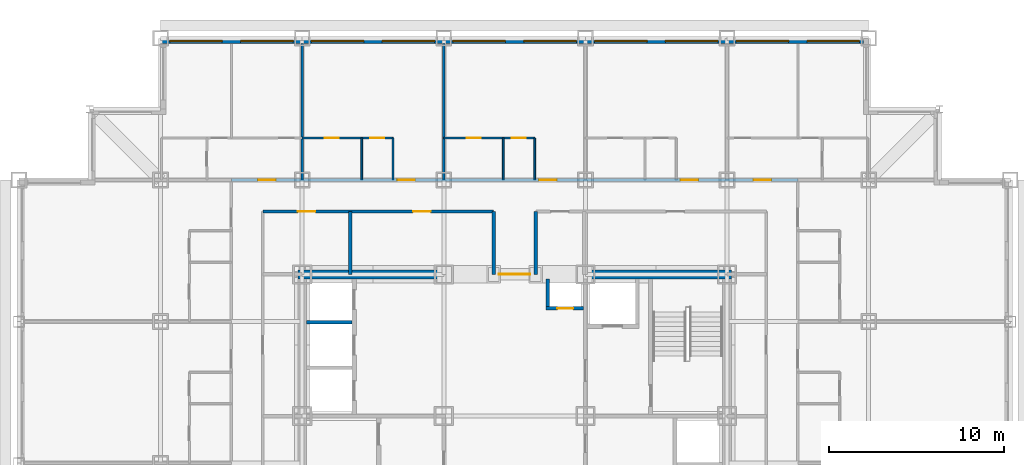
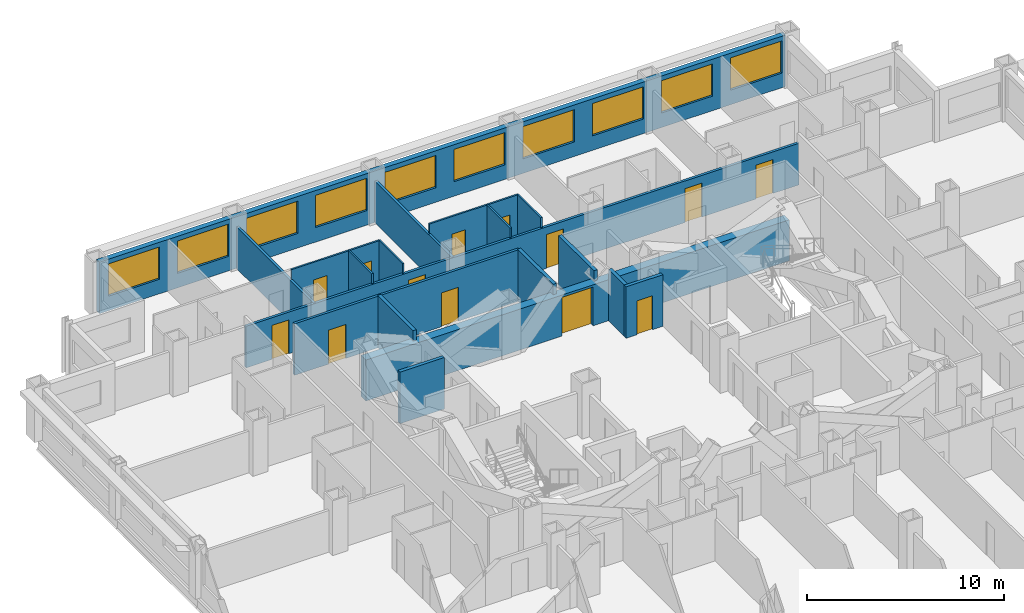
# One storey, part 9 of 13: 18 walls, 13 doors, 10 windows, 23 openings.
"""IFC4 building model written with IfcOpenShell, lengths in metres."""

from ifc_helpers import new_model, si_unit, direction, frame, frame_2d, origin, place, context, subcontext, project, spatial, rectangle, extrude, material, layer, layer_set, type_object, element, fill, save


model = new_model("IFC4")

# Units and contexts
model_context = context("Model", 3, precision=1e-05, world=origin(), true_north=direction((0.0, 1.0)))
body_context = subcontext(model_context, "Body", "Model", "MODEL_VIEW")
ifc_project = project(units=[si_unit("LENGTHUNIT", "METRE"), si_unit("AREAUNIT", "SQUARE_METRE"), si_unit("VOLUMEUNIT", "CUBIC_METRE"), si_unit("PLANEANGLEUNIT", "RADIAN"), si_unit("MASSUNIT", "GRAM", prefix="KILO")], contexts=[model_context])

# Site, building, storey
site_placement = place(None, origin())
site = spatial("IfcSite", under=ifc_project, at=site_placement, CompositionType="ELEMENT")
building_placement = place(site_placement, origin())
building = spatial("IfcBuilding", under=site, at=building_placement, Name="Kopane Lantern Tower", CompositionType="ELEMENT")
storey_placement = place(building_placement, frame((0.0, 0.0, 110.199951171875)))
storey = spatial("IfcBuildingStorey", under=building, at=storey_placement, Name="L27", CompositionType="ELEMENT", Elevation=110.199951171875)

# Wall, openings, doors
ifc_material_1 = material(Name="Moisture-resistant board on steel studs", Category="steel")
ifc_layer_1 = layer(ifc_material_1, 0.10009765625)
ifc_layer_set_1 = layer_set([ifc_layer_1], Name="BATHROOM WALL 100")
wall_type_1 = type_object("IfcWallType", Name="BATHROOM WALL 100", PredefinedType="PARTITIONING", material=ifc_layer_set_1)
wall_1_placement = place(storey_placement, frame((16.199951171875, 48.300048828125, 0.0), z_axis=(0.0, 0.0, 1.0), x_axis=(1.0, 0.0, 0.0)))
wall_1 = element("IfcWall", 1, at=wall_1_placement, inside=storey, type_object=wall_type_1, Name="Bathroom Wall 100 L27", PredefinedType="PARTITIONING", context=body_context, shape_type="SweptSolid", body=[
    extrude(rectangle(XDim=5.199951171875, YDim=0.10009765625, at=frame_2d((2.60009765625, 0.0))), origin(), (0.0, 0.0, 1.0), 3.18994140625),
])
opening_1_placement = place(wall_1_placement, frame((1.300048828125, 0.0, 0.0)))
opening_1 = element("IfcOpeningElement", 2, at=opening_1_placement, cuts=wall_1, Name="Opening L27-021", PredefinedType="OPENING", context=body_context, shape_type="SweptSolid", body=[
    extrude(rectangle(XDim=0.800048828125, YDim=2.10009765625, at=frame_2d((0.39990234375, 1.050048828125))), frame((0.0, 0.06005859375, 0.0), z_axis=(0.0, -1.0, 0.0), x_axis=(1.0, 0.0, 0.0)), (0.0, 0.0, 1.0), 0.1201171875),
])
opening_2_placement = place(wall_1_placement, frame((3.89990234375, 0.0, 0.0)))
opening_2 = element("IfcOpeningElement", 3, at=opening_2_placement, cuts=wall_1, Name="Opening L27-022", PredefinedType="OPENING", context=body_context, shape_type="SweptSolid", body=[
    extrude(rectangle(XDim=0.800048828125, YDim=2.10009765625, at=frame_2d((0.39990234375, 1.050048828125))), frame((0.0, 0.06005859375, 0.0), z_axis=(0.0, -1.0, 0.0), x_axis=(1.0, 0.0, 0.0)), (0.0, 0.0, 1.0), 0.1201171875),
])
ifc_material_2 = material(Name="Timber door set", Category="wood")
door_type_1 = type_object("IfcDoorType", Name="DOOR D2 800x2100", OperationType="SINGLE_SWING_LEFT", PredefinedType="DOOR", material=ifc_material_2)
door_1_placement = place(opening_1_placement, origin())
door_1 = element("IfcDoor", 4, at=door_1_placement, inside=storey, type_object=door_type_1, Name="Door L27-021", OperationType="SINGLE_SWING_LEFT", OverallHeight=2.10009765625, OverallWidth=0.800048828125, PredefinedType="DOOR", context=body_context, shape_type="SweptSolid", body=[
    extrude(rectangle(XDim=0.800048828125, YDim=2.10009765625, at=frame_2d((0.39990234375, 1.050048828125))), frame((0.0, 0.02490234375, 0.0), z_axis=(0.0, -1.0, 0.0), x_axis=(1.0, 0.0, 0.0)), (0.0, 0.0, 1.0), 0.050048828125),
])
fill(opening_1, door_1)
door_2_placement = place(opening_2_placement, origin())
door_2 = element("IfcDoor", 5, at=door_2_placement, inside=storey, type_object=door_type_1, Name="Door L27-022", OperationType="SINGLE_SWING_LEFT", OverallHeight=2.10009765625, OverallWidth=0.800048828125, PredefinedType="DOOR", context=body_context, shape_type="SweptSolid", body=[
    extrude(rectangle(XDim=0.800048828125, YDim=2.10009765625, at=frame_2d((0.39990234375, 1.050048828125))), frame((0.0, 0.02490234375, 0.0), z_axis=(0.0, -1.0, 0.0), x_axis=(1.0, 0.0, 0.0)), (0.0, 0.0, 1.0), 0.050048828125),
])
fill(opening_2, door_2)

# Walls
for number, where, z_axis, x_axis, name in (
    (6, (19.60009765625, 45.89990234375, 0.0), (0.0, 0.0, 1.0), (0.0, 1.0, 0.0), "Bathroom Wall 100 L27"),
    (7, (21.39990234375, 45.89990234375, 0.0), (0.0, 0.0, 1.0), (0.0, 1.0, 0.0), "Bathroom Wall 100 L27"),
):
    element("IfcWall", number, at=place(storey_placement, frame(where, z_axis=z_axis, x_axis=x_axis)), inside=storey, type_object=wall_type_1, Name=name, PredefinedType="PARTITIONING", context=body_context, shape_type="SweptSolid", body=[
        extrude(rectangle(XDim=2.400146484375, YDim=0.10009765625, at=frame_2d((1.2001953125, 0.0))), origin(), (0.0, 0.0, 1.0), 3.18994140625),
    ])

# Wall, openings, doors
wall_2_placement = place(storey_placement, frame((24.300048828125, 48.300048828125, 0.0), z_axis=(0.0, 0.0, 1.0), x_axis=(1.0, 0.0, 0.0)))
wall_2 = element("IfcWall", 8, at=wall_2_placement, inside=storey, type_object=wall_type_1, Name="Bathroom Wall 100 L27", PredefinedType="PARTITIONING", context=body_context, shape_type="SweptSolid", body=[
    extrude(rectangle(XDim=5.199951171875, YDim=0.10009765625, at=frame_2d((2.60009765625, 0.0))), origin(), (0.0, 0.0, 1.0), 3.18994140625),
])
opening_3_placement = place(wall_2_placement, frame((1.300048828125, 0.0, 0.0)))
opening_3 = element("IfcOpeningElement", 9, at=opening_3_placement, cuts=wall_2, Name="Opening L27-024", PredefinedType="OPENING", context=body_context, shape_type="SweptSolid", body=[
    extrude(rectangle(XDim=0.800048828125, YDim=2.10009765625, at=frame_2d((0.39990234375, 1.050048828125))), frame((0.0, 0.06005859375, 0.0), z_axis=(0.0, -1.0, 0.0), x_axis=(1.0, 0.0, 0.0)), (0.0, 0.0, 1.0), 0.1201171875),
])
opening_4_placement = place(wall_2_placement, frame((3.89990234375, 0.0, 0.0)))
opening_4 = element("IfcOpeningElement", 10, at=opening_4_placement, cuts=wall_2, Name="Opening L27-025", PredefinedType="OPENING", context=body_context, shape_type="SweptSolid", body=[
    extrude(rectangle(XDim=0.800048828125, YDim=2.10009765625, at=frame_2d((0.39990234375, 1.050048828125))), frame((0.0, 0.06005859375, 0.0), z_axis=(0.0, -1.0, 0.0), x_axis=(1.0, 0.0, 0.0)), (0.0, 0.0, 1.0), 0.1201171875),
])
door_3_placement = place(opening_3_placement, origin())
door_3 = element("IfcDoor", 11, at=door_3_placement, inside=storey, type_object=door_type_1, Name="Door L27-024", OperationType="SINGLE_SWING_LEFT", OverallHeight=2.10009765625, OverallWidth=0.800048828125, PredefinedType="DOOR", context=body_context, shape_type="SweptSolid", body=[
    extrude(rectangle(XDim=0.800048828125, YDim=2.10009765625, at=frame_2d((0.39990234375, 1.050048828125))), frame((0.0, 0.02490234375, 0.0), z_axis=(0.0, -1.0, 0.0), x_axis=(1.0, 0.0, 0.0)), (0.0, 0.0, 1.0), 0.050048828125),
])
fill(opening_3, door_3)
door_4_placement = place(opening_4_placement, origin())
door_4 = element("IfcDoor", 12, at=door_4_placement, inside=storey, type_object=door_type_1, Name="Door L27-025", OperationType="SINGLE_SWING_LEFT", OverallHeight=2.10009765625, OverallWidth=0.800048828125, PredefinedType="DOOR", context=body_context, shape_type="SweptSolid", body=[
    extrude(rectangle(XDim=0.800048828125, YDim=2.10009765625, at=frame_2d((0.39990234375, 1.050048828125))), frame((0.0, 0.02490234375, 0.0), z_axis=(0.0, -1.0, 0.0), x_axis=(1.0, 0.0, 0.0)), (0.0, 0.0, 1.0), 0.050048828125),
])
fill(opening_4, door_4)

# Walls
for number, where, z_axis, x_axis, name in (
    (13, (27.699951171875, 45.89990234375, 0.0), (0.0, 0.0, 1.0), (0.0, 1.0, 0.0), "Bathroom Wall 100 L27"),
    (14, (29.5, 45.89990234375, 0.0), (0.0, 0.0, 1.0), (0.0, 1.0, 0.0), "Bathroom Wall 100 L27"),
):
    element("IfcWall", number, at=place(storey_placement, frame(where, z_axis=z_axis, x_axis=x_axis)), inside=storey, type_object=wall_type_1, Name=name, PredefinedType="PARTITIONING", context=body_context, shape_type="SweptSolid", body=[
        extrude(rectangle(XDim=2.400146484375, YDim=0.10009765625, at=frame_2d((1.2001953125, 0.0))), origin(), (0.0, 0.0, 1.0), 3.18994140625),
    ])

# Wall, opening, door
ifc_material_3 = material(Name="Gypsum shaft wall EI 120", Category="gypsum")
ifc_layer_2 = layer(ifc_material_3, 0.5)
ifc_layer_set_2 = layer_set([ifc_layer_2], Name="CORE PERIMETER WALL 500 EI 120")
wall_type_2 = type_object("IfcWallType", Name="CORE PERIMETER WALL 500 EI 120", PredefinedType="SOLIDWALL", material=ifc_layer_set_2)
wall_3_placement = place(storey_placement, frame((15.949951171875, 40.5, 0.0), z_axis=(0.0, 0.0, 1.0), x_axis=(1.0, 0.0, 0.0)))
wall_3 = element("IfcWall", 15, at=wall_3_placement, inside=storey, type_object=wall_type_2, Name="Core shaft wall L27 PN", PredefinedType="SOLIDWALL", context=body_context, shape_type="SweptSolid", body=[
    extrude(rectangle(XDim=24.800048828125, YDim=0.5, at=frame_2d((12.39990234375, 0.0))), origin(), (0.0, 0.0, 1.0), 2.5400390625),
])
opening_5_placement = place(wall_3_placement, frame((11.5, 0.0, 0.0)))
opening_5 = element("IfcOpeningElement", 16, at=opening_5_placement, cuts=wall_3, Name="Opening 27.CE-N", PredefinedType="OPENING", context=body_context, shape_type="SweptSolid", body=[
    extrude(rectangle(XDim=1.800048828125, YDim=2.39990234375, at=frame_2d((0.89990234375, 1.199951171875))), frame((0.0, 0.260009765625, 0.0), z_axis=(0.0, -1.0, 0.0), x_axis=(1.0, 0.0, 0.0)), (0.0, 0.0, 1.0), 0.52001953125),
])
ifc_material_4 = material(Name="Steel door set", Category="steel")
door_type_2 = type_object("IfcDoorType", Name="CORE ENTRY DOOR 1800x2400 FD60S", OperationType="DOUBLE_DOOR_SINGLE_SWING", PredefinedType="DOOR", material=ifc_material_4)
door_5_placement = place(opening_5_placement, origin())
door_5 = element("IfcDoor", 17, at=door_5_placement, inside=storey, type_object=door_type_2, Name="Core entry door L27 north", OperationType="DOUBLE_DOOR_SINGLE_SWING", OverallHeight=2.39990234375, OverallWidth=1.800048828125, PredefinedType="DOOR", context=body_context, shape_type="SweptSolid", body=[
    extrude(rectangle(XDim=1.800048828125, YDim=2.39990234375, at=frame_2d((0.89990234375, 1.199951171875))), frame((0.0, 0.02490234375, 0.0), z_axis=(0.0, -1.0, 0.0), x_axis=(1.0, 0.0, 0.0)), (0.0, 0.0, 1.0), 0.050048828125),
])
fill(opening_5, door_5)

# Wall, openings, doors
ifc_material_5 = material(Name="Gypsum board on steel studs", Category="steel")
ifc_layer_3 = layer(ifc_material_5, 0.14990234375)
ifc_layer_set_3 = layer_set([ifc_layer_3], Name="CORRIDOR WALL 150 EI 60")
wall_type_3 = type_object("IfcWallType", Name="CORRIDOR WALL 150 EI 60", PredefinedType="PARTITIONING", material=ifc_layer_set_3)
wall_4_placement = place(storey_placement, frame((12.14990234375, 45.89990234375, 0.0), z_axis=(0.0, 0.0, 1.0), x_axis=(1.0, 0.0, 0.0)))
wall_4 = element("IfcWall", 18, at=wall_4_placement, inside=storey, type_object=wall_type_3, Name="Corridor Wall 150 Ei 60 L27", PredefinedType="PARTITIONING", context=body_context, shape_type="SweptSolid", body=[
    extrude(rectangle(XDim=32.400146484375, YDim=0.14990234375, at=frame_2d((16.2001953125, 0.0))), origin(), (0.0, 0.0, 1.0), 2.577880859375),
])
opening_6_placement = place(wall_4_placement, frame((9.5, 0.0, 0.0)))
opening_6 = element("IfcOpeningElement", 19, at=opening_6_placement, cuts=wall_4, Name="Opening L27-023", PredefinedType="OPENING", context=body_context, shape_type="SweptSolid", body=[
    extrude(rectangle(XDim=1.0, YDim=2.10009765625, at=frame_2d((0.5, 1.050048828125))), frame((0.0, 0.0849609375, 0.0), z_axis=(0.0, -1.0, 0.0), x_axis=(1.0, 0.0, 0.0)), (0.0, 0.0, 1.0), 0.169921875),
])
opening_7_placement = place(wall_4_placement, frame((17.60009765625, 0.0, 0.0)))
opening_7 = element("IfcOpeningElement", 20, at=opening_7_placement, cuts=wall_4, Name="Opening L27-026", PredefinedType="OPENING", context=body_context, shape_type="SweptSolid", body=[
    extrude(rectangle(XDim=1.0, YDim=2.10009765625, at=frame_2d((0.5, 1.050048828125))), frame((0.0, 0.0849609375, 0.0), z_axis=(0.0, -1.0, 0.0), x_axis=(1.0, 0.0, 0.0)), (0.0, 0.0, 1.0), 0.169921875),
])
opening_8_placement = place(wall_4_placement, frame((25.699951171875, 0.0, 0.0)))
opening_8 = element("IfcOpeningElement", 21, at=opening_8_placement, cuts=wall_4, Name="Opening L27-029", PredefinedType="OPENING", context=body_context, shape_type="SweptSolid", body=[
    extrude(rectangle(XDim=1.0, YDim=2.10009765625, at=frame_2d((0.5, 1.050048828125))), frame((0.0, 0.0849609375, 0.0), z_axis=(0.0, -1.0, 0.0), x_axis=(1.0, 0.0, 0.0)), (0.0, 0.0, 1.0), 0.169921875),
])
opening_9_placement = place(wall_4_placement, frame((29.875, 0.0, 0.0)))
opening_9 = element("IfcOpeningElement", 22, at=opening_9_placement, cuts=wall_4, Name="Opening L27-059", PredefinedType="OPENING", context=body_context, shape_type="SweptSolid", body=[
    extrude(rectangle(XDim=1.0, YDim=2.10009765625, at=frame_2d((0.5, 1.050048828125))), frame((0.0, 0.0849609375, 0.0), z_axis=(0.0, -1.0, 0.0), x_axis=(1.0, 0.0, 0.0)), (0.0, 0.0, 1.0), 0.169921875),
])
opening_10_placement = place(wall_4_placement, frame((1.52490234375, 0.0, 0.0)))
opening_10 = element("IfcOpeningElement", 23, at=opening_10_placement, cuts=wall_4, Name="Opening L27-063", PredefinedType="OPENING", context=body_context, shape_type="SweptSolid", body=[
    extrude(rectangle(XDim=1.0, YDim=2.10009765625, at=frame_2d((0.5, 1.050048828125))), frame((0.0, 0.0849609375, 0.0), z_axis=(0.0, -1.0, 0.0), x_axis=(1.0, 0.0, 0.0)), (0.0, 0.0, 1.0), 0.169921875),
])
ifc_material_6 = material(Name="Steel door set", Category="steel")
door_type_3 = type_object("IfcDoorType", Name="DOOR D1 1000x2100 FD30S", OperationType="SINGLE_SWING_LEFT", PredefinedType="DOOR", material=ifc_material_6)
door_6_placement = place(opening_6_placement, origin())
door_6 = element("IfcDoor", 24, at=door_6_placement, inside=storey, type_object=door_type_3, Name="Door L27-023", OperationType="SINGLE_SWING_LEFT", OverallHeight=2.10009765625, OverallWidth=1.0, PredefinedType="DOOR", context=body_context, shape_type="SweptSolid", body=[
    extrude(rectangle(XDim=1.0, YDim=2.10009765625, at=frame_2d((0.5, 1.050048828125))), frame((0.0, 0.02490234375, 0.0), z_axis=(0.0, -1.0, 0.0), x_axis=(1.0, 0.0, 0.0)), (0.0, 0.0, 1.0), 0.050048828125),
])
fill(opening_6, door_6)
door_7_placement = place(opening_7_placement, origin())
door_7 = element("IfcDoor", 25, at=door_7_placement, inside=storey, type_object=door_type_3, Name="Door L27-026", OperationType="SINGLE_SWING_LEFT", OverallHeight=2.10009765625, OverallWidth=1.0, PredefinedType="DOOR", context=body_context, shape_type="SweptSolid", body=[
    extrude(rectangle(XDim=1.0, YDim=2.10009765625, at=frame_2d((0.5, 1.050048828125))), frame((0.0, 0.02490234375, 0.0), z_axis=(0.0, -1.0, 0.0), x_axis=(1.0, 0.0, 0.0)), (0.0, 0.0, 1.0), 0.050048828125),
])
fill(opening_7, door_7)
door_8_placement = place(opening_8_placement, origin())
door_8 = element("IfcDoor", 26, at=door_8_placement, inside=storey, type_object=door_type_3, Name="Door L27-029", OperationType="SINGLE_SWING_LEFT", OverallHeight=2.10009765625, OverallWidth=1.0, PredefinedType="DOOR", context=body_context, shape_type="SweptSolid", body=[
    extrude(rectangle(XDim=1.0, YDim=2.10009765625, at=frame_2d((0.5, 1.050048828125))), frame((0.0, 0.02490234375, 0.0), z_axis=(0.0, -1.0, 0.0), x_axis=(1.0, 0.0, 0.0)), (0.0, 0.0, 1.0), 0.050048828125),
])
fill(opening_8, door_8)
door_9_placement = place(opening_9_placement, origin())
door_9 = element("IfcDoor", 27, at=door_9_placement, inside=storey, type_object=door_type_3, Name="Door L27-059", OperationType="SINGLE_SWING_LEFT", OverallHeight=2.10009765625, OverallWidth=1.0, PredefinedType="DOOR", context=body_context, shape_type="SweptSolid", body=[
    extrude(rectangle(XDim=1.0, YDim=2.10009765625, at=frame_2d((0.5, 1.050048828125))), frame((0.0, 0.02490234375, 0.0), z_axis=(0.0, -1.0, 0.0), x_axis=(1.0, 0.0, 0.0)), (0.0, 0.0, 1.0), 0.050048828125),
])
fill(opening_9, door_9)
door_10_placement = place(opening_10_placement, origin())
door_10 = element("IfcDoor", 28, at=door_10_placement, inside=storey, type_object=door_type_3, Name="Door L27-063", OperationType="SINGLE_SWING_RIGHT", OverallHeight=2.10009765625, OverallWidth=1.0, PredefinedType="DOOR", context=body_context, shape_type="SweptSolid", body=[
    extrude(rectangle(XDim=1.0, YDim=2.10009765625, at=frame_2d((0.5, 1.050048828125))), frame((0.0, 0.02490234375, 0.0), z_axis=(0.0, -1.0, 0.0), x_axis=(1.0, 0.0, 0.0)), (0.0, 0.0, 1.0), 0.050048828125),
])
fill(opening_10, door_10)

wall_5_placement = place(storey_placement, frame((27.139892578125, 44.10009765625, 0.0), z_axis=(0.0, 0.0, 1.0), x_axis=(-1.0, 0.0, 0.0)))
wall_5 = element("IfcWall", 29, at=wall_5_placement, inside=storey, type_object=wall_type_3, Name="Corridor Wall 150 Ei 60 L27", PredefinedType="PARTITIONING", context=body_context, shape_type="SweptSolid", body=[
    extrude(rectangle(XDim=13.18994140625, YDim=0.14990234375, at=frame_2d((6.594970703125, 0.0))), origin(), (0.0, 0.0, 1.0), 3.18994140625),
])
opening_11_placement = place(wall_5_placement, frame((10.18994140625, 0.0, 0.0)))
opening_11 = element("IfcOpeningElement", 30, at=opening_11_placement, cuts=wall_5, Name="Opening L27-005", PredefinedType="OPENING", context=body_context, shape_type="SweptSolid", body=[
    extrude(rectangle(XDim=1.0, YDim=2.10009765625, at=frame_2d((0.5, 1.050048828125))), frame((0.0, 0.0849609375, 0.0), z_axis=(0.0, -1.0, 0.0), x_axis=(1.0, 0.0, 0.0)), (0.0, 0.0, 1.0), 0.169921875),
])
opening_12_placement = place(wall_5_placement, frame((3.590087890625, 0.0, 0.0)))
opening_12 = element("IfcOpeningElement", 31, at=opening_12_placement, cuts=wall_5, Name="Opening L27-006", PredefinedType="OPENING", context=body_context, shape_type="SweptSolid", body=[
    extrude(rectangle(XDim=1.0, YDim=2.10009765625, at=frame_2d((0.5, 1.050048828125))), frame((0.0, 0.0849609375, 0.0), z_axis=(0.0, -1.0, 0.0), x_axis=(1.0, 0.0, 0.0)), (0.0, 0.0, 1.0), 0.169921875),
])
ifc_material_7 = material(Name="Steel door set", Category="steel")
door_type_4 = type_object("IfcDoorType", Name="DOOR D5 1000x2100 FD60", OperationType="SINGLE_SWING_LEFT", PredefinedType="DOOR", material=ifc_material_7)
door_11_placement = place(opening_11_placement, origin())
door_11 = element("IfcDoor", 32, at=door_11_placement, inside=storey, type_object=door_type_4, Name="Door L27-005", OperationType="SINGLE_SWING_RIGHT", OverallHeight=2.10009765625, OverallWidth=1.0, PredefinedType="DOOR", context=body_context, shape_type="SweptSolid", body=[
    extrude(rectangle(XDim=1.0, YDim=2.10009765625, at=frame_2d((0.5, 1.050048828125))), frame((0.0, 0.02490234375, 0.0), z_axis=(0.0, -1.0, 0.0), x_axis=(1.0, 0.0, 0.0)), (0.0, 0.0, 1.0), 0.050048828125),
])
fill(opening_11, door_11)
door_12_placement = place(opening_12_placement, origin())
door_12 = element("IfcDoor", 33, at=door_12_placement, inside=storey, type_object=door_type_4, Name="Door L27-006", OperationType="SINGLE_SWING_LEFT", OverallHeight=2.10009765625, OverallWidth=1.0, PredefinedType="DOOR", context=body_context, shape_type="SweptSolid", body=[
    extrude(rectangle(XDim=1.0, YDim=2.10009765625, at=frame_2d((0.5, 1.050048828125))), frame((0.0, 0.02490234375, 0.0), z_axis=(0.0, -1.0, 0.0), x_axis=(1.0, 0.0, 0.0)), (0.0, 0.0, 1.0), 0.050048828125),
])
fill(opening_12, door_12)

# Walls
ifc_material_8 = material(Name="Gypsum board on steel studs", Category="steel")
ifc_layer_4 = layer(ifc_material_8, 0.14990234375)
ifc_layer_set_4 = layer_set([ifc_layer_4], Name="DEMISING WALL 150 EI 60")
wall_type_4 = type_object("IfcWallType", Name="DEMISING WALL 150 EI 60", PredefinedType="PARTITIONING", material=ifc_layer_set_4)
for number, where, z_axis, x_axis, name in (
    (34, (24.300048828125, 45.89990234375, 0.0), (0.0, 0.0, 1.0), (0.0, 1.0, 0.0), "Demising Wall 150 Ei 60 L27"),
    (35, (16.199951171875, 45.89990234375, 0.0), (0.0, 0.0, 1.0), (0.0, 1.0, 0.0), "Demising Wall 150 Ei 60 L27"),
):
    element("IfcWall", number, at=place(storey_placement, frame(where, z_axis=z_axis, x_axis=x_axis)), inside=storey, type_object=wall_type_4, Name=name, PredefinedType="PARTITIONING", context=body_context, shape_type="SweptSolid", body=[
        extrude(rectangle(XDim=7.800048828125, YDim=0.14990234375, at=frame_2d((3.89990234375, 0.0))), origin(), (0.0, 0.0, 1.0), 2.577880859375),
    ])

# Wall, openings, windows
ifc_material_9 = material(Name="Terracotta rainscreen on light steel framing", Category="masonry")
ifc_layer_5 = layer(ifc_material_9, 0.300048828125)
ifc_layer_set_5 = layer_set([ifc_layer_5], Name="EXTERNAL WALL EW1 300 TERRACOTTA")
wall_type_5 = type_object("IfcWallType", Name="EXTERNAL WALL EW1 300 TERRACOTTA", PredefinedType="SOLIDWALL", material=ifc_layer_set_5)
wall_6_placement = place(storey_placement, frame((48.300048828125, 53.85009765625, 0.0), z_axis=(0.0, 0.0, 1.0), x_axis=(-1.0, 0.0, 0.0)))
wall_6 = element("IfcWall", 36, at=wall_6_placement, inside=storey, type_object=wall_type_5, Name="External wall N L27", PredefinedType="SOLIDWALL", context=body_context, shape_type="SweptSolid", body=[
    extrude(rectangle(XDim=40.199951171875, YDim=0.300048828125, at=frame_2d((20.10009765625, 0.0))), origin(), (0.0, 0.0, 1.0), 3.18994140625),
])
opening_13_placement = place(wall_6_placement, frame((0.22509765625, 0.0, 0.89990234375)))
opening_13 = element("IfcOpeningElement", 37, at=opening_13_placement, cuts=wall_6, Name="Opening WR300200", PredefinedType="OPENING", context=body_context, shape_type="SweptSolid", body=[
    extrude(rectangle(XDim=3.0, YDim=2.0, at=frame_2d((1.5, 1.0))), frame((0.0, 0.159912109375, 0.0), z_axis=(0.0, -1.0, 0.0), x_axis=(1.0, 0.0, 0.0)), (0.0, 0.0, 1.0), 0.320068359375),
])
opening_14_placement = place(wall_6_placement, frame((4.27490234375, 0.0, 0.89990234375)))
opening_14 = element("IfcOpeningElement", 38, at=opening_14_placement, cuts=wall_6, Name="Opening WR300200", PredefinedType="OPENING", context=body_context, shape_type="SweptSolid", body=[
    extrude(rectangle(XDim=3.0, YDim=2.0, at=frame_2d((1.5, 1.0))), frame((0.0, 0.159912109375, 0.0), z_axis=(0.0, -1.0, 0.0), x_axis=(1.0, 0.0, 0.0)), (0.0, 0.0, 1.0), 0.320068359375),
])
opening_15_placement = place(wall_6_placement, frame((8.324951171875, 0.0, 0.89990234375)))
opening_15 = element("IfcOpeningElement", 39, at=opening_15_placement, cuts=wall_6, Name="Opening WR300200", PredefinedType="OPENING", context=body_context, shape_type="SweptSolid", body=[
    extrude(rectangle(XDim=3.0, YDim=2.0, at=frame_2d((1.5, 1.0))), frame((0.0, 0.159912109375, 0.0), z_axis=(0.0, -1.0, 0.0), x_axis=(1.0, 0.0, 0.0)), (0.0, 0.0, 1.0), 0.320068359375),
])
opening_16_placement = place(wall_6_placement, frame((12.375, 0.0, 0.89990234375)))
opening_16 = element("IfcOpeningElement", 40, at=opening_16_placement, cuts=wall_6, Name="Opening WR300200", PredefinedType="OPENING", context=body_context, shape_type="SweptSolid", body=[
    extrude(rectangle(XDim=3.0, YDim=2.0, at=frame_2d((1.5, 1.0))), frame((0.0, 0.159912109375, 0.0), z_axis=(0.0, -1.0, 0.0), x_axis=(1.0, 0.0, 0.0)), (0.0, 0.0, 1.0), 0.320068359375),
])
opening_17_placement = place(wall_6_placement, frame((16.425048828125, 0.0, 0.89990234375)))
opening_17 = element("IfcOpeningElement", 41, at=opening_17_placement, cuts=wall_6, Name="Opening WR300200", PredefinedType="OPENING", context=body_context, shape_type="SweptSolid", body=[
    extrude(rectangle(XDim=3.0, YDim=2.0, at=frame_2d((1.5, 1.0))), frame((0.0, 0.159912109375, 0.0), z_axis=(0.0, -1.0, 0.0), x_axis=(1.0, 0.0, 0.0)), (0.0, 0.0, 1.0), 0.320068359375),
])
opening_18_placement = place(wall_6_placement, frame((20.47509765625, 0.0, 0.89990234375)))
opening_18 = element("IfcOpeningElement", 42, at=opening_18_placement, cuts=wall_6, Name="Opening WR300200", PredefinedType="OPENING", context=body_context, shape_type="SweptSolid", body=[
    extrude(rectangle(XDim=3.0, YDim=2.0, at=frame_2d((1.5, 1.0))), frame((0.0, 0.159912109375, 0.0), z_axis=(0.0, -1.0, 0.0), x_axis=(1.0, 0.0, 0.0)), (0.0, 0.0, 1.0), 0.320068359375),
])
opening_19_placement = place(wall_6_placement, frame((24.52490234375, 0.0, 0.89990234375)))
opening_19 = element("IfcOpeningElement", 43, at=opening_19_placement, cuts=wall_6, Name="Opening WR300200", PredefinedType="OPENING", context=body_context, shape_type="SweptSolid", body=[
    extrude(rectangle(XDim=3.0, YDim=2.0, at=frame_2d((1.5, 1.0))), frame((0.0, 0.159912109375, 0.0), z_axis=(0.0, -1.0, 0.0), x_axis=(1.0, 0.0, 0.0)), (0.0, 0.0, 1.0), 0.320068359375),
])
opening_20_placement = place(wall_6_placement, frame((28.574951171875, 0.0, 0.89990234375)))
opening_20 = element("IfcOpeningElement", 44, at=opening_20_placement, cuts=wall_6, Name="Opening WR300200", PredefinedType="OPENING", context=body_context, shape_type="SweptSolid", body=[
    extrude(rectangle(XDim=3.0, YDim=2.0, at=frame_2d((1.5, 1.0))), frame((0.0, 0.159912109375, 0.0), z_axis=(0.0, -1.0, 0.0), x_axis=(1.0, 0.0, 0.0)), (0.0, 0.0, 1.0), 0.320068359375),
])
opening_21_placement = place(wall_6_placement, frame((32.625, 0.0, 0.89990234375)))
opening_21 = element("IfcOpeningElement", 45, at=opening_21_placement, cuts=wall_6, Name="Opening WR300200", PredefinedType="OPENING", context=body_context, shape_type="SweptSolid", body=[
    extrude(rectangle(XDim=3.0, YDim=2.0, at=frame_2d((1.5, 1.0))), frame((0.0, 0.159912109375, 0.0), z_axis=(0.0, -1.0, 0.0), x_axis=(1.0, 0.0, 0.0)), (0.0, 0.0, 1.0), 0.320068359375),
])
opening_22_placement = place(wall_6_placement, frame((36.675048828125, 0.0, 0.89990234375)))
opening_22 = element("IfcOpeningElement", 46, at=opening_22_placement, cuts=wall_6, Name="Opening WR300200", PredefinedType="OPENING", context=body_context, shape_type="SweptSolid", body=[
    extrude(rectangle(XDim=3.0, YDim=2.0, at=frame_2d((1.5, 1.0))), frame((0.0, 0.159912109375, 0.0), z_axis=(0.0, -1.0, 0.0), x_axis=(1.0, 0.0, 0.0)), (0.0, 0.0, 1.0), 0.320068359375),
])
ifc_material_10 = material(Name="Aluminium and clear glass", Category="aluminium")
window_type = type_object("IfcWindowType", Name="RIBBON WINDOW WR300200 3000x2000", PartitioningType="SINGLE_PANEL", PredefinedType="WINDOW", material=ifc_material_10)
window_1_placement = place(opening_13_placement, origin())
window_1 = element("IfcWindow", 47, at=window_1_placement, inside=storey, type_object=window_type, Name="Window N L27", OverallHeight=2.0, OverallWidth=3.0, PartitioningType="SINGLE_PANEL", PredefinedType="WINDOW", context=body_context, shape_type="SweptSolid", body=[
    extrude(rectangle(XDim=3.0, YDim=2.0, at=frame_2d((1.5, 1.0))), frame((0.0, 0.030029296875, 0.0), z_axis=(0.0, -1.0, 0.0), x_axis=(1.0, 0.0, 0.0)), (0.0, 0.0, 1.0), 0.06005859375),
])
fill(opening_13, window_1)
window_2_placement = place(opening_14_placement, origin())
window_2 = element("IfcWindow", 48, at=window_2_placement, inside=storey, type_object=window_type, Name="Window N L27", OverallHeight=2.0, OverallWidth=3.0, PartitioningType="SINGLE_PANEL", PredefinedType="WINDOW", context=body_context, shape_type="SweptSolid", body=[
    extrude(rectangle(XDim=3.0, YDim=2.0, at=frame_2d((1.5, 1.0))), frame((0.0, 0.030029296875, 0.0), z_axis=(0.0, -1.0, 0.0), x_axis=(1.0, 0.0, 0.0)), (0.0, 0.0, 1.0), 0.06005859375),
])
fill(opening_14, window_2)
window_3_placement = place(opening_15_placement, origin())
window_3 = element("IfcWindow", 49, at=window_3_placement, inside=storey, type_object=window_type, Name="Window N L27", OverallHeight=2.0, OverallWidth=3.0, PartitioningType="SINGLE_PANEL", PredefinedType="WINDOW", context=body_context, shape_type="SweptSolid", body=[
    extrude(rectangle(XDim=3.0, YDim=2.0, at=frame_2d((1.5, 1.0))), frame((0.0, 0.030029296875, 0.0), z_axis=(0.0, -1.0, 0.0), x_axis=(1.0, 0.0, 0.0)), (0.0, 0.0, 1.0), 0.06005859375),
])
fill(opening_15, window_3)
window_4_placement = place(opening_16_placement, origin())
window_4 = element("IfcWindow", 50, at=window_4_placement, inside=storey, type_object=window_type, Name="Window N L27", OverallHeight=2.0, OverallWidth=3.0, PartitioningType="SINGLE_PANEL", PredefinedType="WINDOW", context=body_context, shape_type="SweptSolid", body=[
    extrude(rectangle(XDim=3.0, YDim=2.0, at=frame_2d((1.5, 1.0))), frame((0.0, 0.030029296875, 0.0), z_axis=(0.0, -1.0, 0.0), x_axis=(1.0, 0.0, 0.0)), (0.0, 0.0, 1.0), 0.06005859375),
])
fill(opening_16, window_4)
window_5_placement = place(opening_17_placement, origin())
window_5 = element("IfcWindow", 51, at=window_5_placement, inside=storey, type_object=window_type, Name="Window N L27", OverallHeight=2.0, OverallWidth=3.0, PartitioningType="SINGLE_PANEL", PredefinedType="WINDOW", context=body_context, shape_type="SweptSolid", body=[
    extrude(rectangle(XDim=3.0, YDim=2.0, at=frame_2d((1.5, 1.0))), frame((0.0, 0.030029296875, 0.0), z_axis=(0.0, -1.0, 0.0), x_axis=(1.0, 0.0, 0.0)), (0.0, 0.0, 1.0), 0.06005859375),
])
fill(opening_17, window_5)
window_6_placement = place(opening_18_placement, origin())
window_6 = element("IfcWindow", 52, at=window_6_placement, inside=storey, type_object=window_type, Name="Window N L27", OverallHeight=2.0, OverallWidth=3.0, PartitioningType="SINGLE_PANEL", PredefinedType="WINDOW", context=body_context, shape_type="SweptSolid", body=[
    extrude(rectangle(XDim=3.0, YDim=2.0, at=frame_2d((1.5, 1.0))), frame((0.0, 0.030029296875, 0.0), z_axis=(0.0, -1.0, 0.0), x_axis=(1.0, 0.0, 0.0)), (0.0, 0.0, 1.0), 0.06005859375),
])
fill(opening_18, window_6)
window_7_placement = place(opening_19_placement, origin())
window_7 = element("IfcWindow", 53, at=window_7_placement, inside=storey, type_object=window_type, Name="Window N L27", OverallHeight=2.0, OverallWidth=3.0, PartitioningType="SINGLE_PANEL", PredefinedType="WINDOW", context=body_context, shape_type="SweptSolid", body=[
    extrude(rectangle(XDim=3.0, YDim=2.0, at=frame_2d((1.5, 1.0))), frame((0.0, 0.030029296875, 0.0), z_axis=(0.0, -1.0, 0.0), x_axis=(1.0, 0.0, 0.0)), (0.0, 0.0, 1.0), 0.06005859375),
])
fill(opening_19, window_7)
window_8_placement = place(opening_20_placement, origin())
window_8 = element("IfcWindow", 54, at=window_8_placement, inside=storey, type_object=window_type, Name="Window N L27", OverallHeight=2.0, OverallWidth=3.0, PartitioningType="SINGLE_PANEL", PredefinedType="WINDOW", context=body_context, shape_type="SweptSolid", body=[
    extrude(rectangle(XDim=3.0, YDim=2.0, at=frame_2d((1.5, 1.0))), frame((0.0, 0.030029296875, 0.0), z_axis=(0.0, -1.0, 0.0), x_axis=(1.0, 0.0, 0.0)), (0.0, 0.0, 1.0), 0.06005859375),
])
fill(opening_20, window_8)
window_9_placement = place(opening_21_placement, origin())
window_9 = element("IfcWindow", 55, at=window_9_placement, inside=storey, type_object=window_type, Name="Window N L27", OverallHeight=2.0, OverallWidth=3.0, PartitioningType="SINGLE_PANEL", PredefinedType="WINDOW", context=body_context, shape_type="SweptSolid", body=[
    extrude(rectangle(XDim=3.0, YDim=2.0, at=frame_2d((1.5, 1.0))), frame((0.0, 0.030029296875, 0.0), z_axis=(0.0, -1.0, 0.0), x_axis=(1.0, 0.0, 0.0)), (0.0, 0.0, 1.0), 0.06005859375),
])
fill(opening_21, window_9)
window_10_placement = place(opening_22_placement, origin())
window_10 = element("IfcWindow", 56, at=window_10_placement, inside=storey, type_object=window_type, Name="Window N L27", OverallHeight=2.0, OverallWidth=3.0, PartitioningType="SINGLE_PANEL", PredefinedType="WINDOW", context=body_context, shape_type="SweptSolid", body=[
    extrude(rectangle(XDim=3.0, YDim=2.0, at=frame_2d((1.5, 1.0))), frame((0.0, 0.030029296875, 0.0), z_axis=(0.0, -1.0, 0.0), x_axis=(1.0, 0.0, 0.0)), (0.0, 0.0, 1.0), 0.06005859375),
])
fill(opening_22, window_10)

# Walls
ifc_material_11 = material(Name="Concrete masonry", Category="masonry")
ifc_layer_6 = layer(ifc_material_11, 0.199951171875)
ifc_layer_set_6 = layer_set([ifc_layer_6], Name="PLANT ROOM WALL 200 EI 120")
wall_type_6 = type_object("IfcWallType", Name="PLANT ROOM WALL 200 EI 120", PredefinedType="SOLIDWALL", material=ifc_layer_set_6)
for number, where, z_axis, x_axis, name in (
    (57, (18.949951171875, 44.10009765625, 0.0), (0.0, 0.0, 1.0), (0.0, -1.0, 0.0), "Plant Room Wall 200 Ei 120 L27"),
    (58, (27.14990234375, 40.5, 0.0), (0.0, 0.0, 1.0), (0.0, 1.0, 0.0), "Plant Room Wall 200 Ei 120 L27"),
    (59, (29.550048828125, 40.5, 0.0), (0.0, 0.0, 1.0), (0.0, 1.0, 0.0), "Plant Room Wall 200 Ei 120 L27"),
):
    element("IfcWall", number, at=place(storey_placement, frame(where, z_axis=z_axis, x_axis=x_axis)), inside=storey, type_object=wall_type_6, Name=name, PredefinedType="SOLIDWALL", context=body_context, shape_type="SweptSolid", body=[
        extrude(rectangle(XDim=3.60009765625, YDim=0.199951171875, at=frame_2d((1.800048828125, 0.0))), origin(), (0.0, 0.0, 1.0), 3.18994140625),
    ])
ifc_material_12 = material(Name="Gypsum shaft wall EI 120", Category="gypsum")
ifc_layer_7 = layer(ifc_material_12, 0.199951171875)
ifc_layer_set_7 = layer_set([ifc_layer_7], Name="SHAFT WALL 200 EI 120")
wall_type_7 = type_object("IfcWallType", Name="SHAFT WALL 200 EI 120", PredefinedType="SOLIDWALL", material=ifc_layer_set_7)
wall_7_placement = place(storey_placement, frame((16.449951171875, 37.75, 0.0), z_axis=(0.0, 0.0, 1.0), x_axis=(1.0, 0.0, 0.0)))
element("IfcWall", 60, at=wall_7_placement, inside=storey, type_object=wall_type_7, Name="Core shaft wall L27 YLH23", PredefinedType="SOLIDWALL", context=body_context, shape_type="SweptSolid", body=[
    extrude(rectangle(XDim=2.60009765625, YDim=0.199951171875, at=frame_2d((1.300048828125, 0.0))), origin(), (0.0, 0.0, 1.0), 3.18994140625),
])
wall_8_placement = place(storey_placement, frame((30.25, 38.64990234375, 0.0), z_axis=(0.0, 0.0, 1.0), x_axis=(0.0, 1.0, 0.0)))
element("IfcWall", 61, at=wall_8_placement, inside=storey, type_object=wall_type_7, Name="Core shaft wall L27 XRS2", PredefinedType="SOLIDWALL", context=body_context, shape_type="SweptSolid", body=[
    extrude(rectangle(XDim=1.60009765625, YDim=0.199951171875, at=frame_2d((0.800048828125, 0.0))), origin(), (0.0, 0.0, 1.0), 3.18994140625),
])

# Wall, opening, door
wall_9_placement = place(storey_placement, frame((30.14990234375, 38.550048828125, 0.0), z_axis=(0.0, 0.0, 1.0), x_axis=(1.0, 0.0, 0.0)))
wall_9 = element("IfcWall", 62, at=wall_9_placement, inside=storey, type_object=wall_type_7, Name="Core shaft wall L27 YRS2", PredefinedType="SOLIDWALL", context=body_context, shape_type="SweptSolid", body=[
    extrude(rectangle(XDim=2.150146484375, YDim=0.199951171875, at=frame_2d((1.0751953125, 0.0))), origin(), (0.0, 0.0, 1.0), 3.18994140625),
])
opening_23_placement = place(wall_9_placement, frame((0.64990234375, 0.0, 0.0)))
opening_23 = element("IfcOpeningElement", 63, at=opening_23_placement, cuts=wall_9, Name="Opening 27.RS2", PredefinedType="OPENING", context=body_context, shape_type="SweptSolid", body=[
    extrude(rectangle(XDim=0.89990234375, YDim=2.10009765625, at=frame_2d((0.449951171875, 1.050048828125))), frame((0.0, 0.10986328125, 0.0), z_axis=(0.0, -1.0, 0.0), x_axis=(1.0, 0.0, 0.0)), (0.0, 0.0, 1.0), 0.219970703125),
])
ifc_material_13 = material(Name="Steel door set", Category="steel")
door_type_5 = type_object("IfcDoorType", Name="RISER ACCESS DOOR 900x2100 FD60", OperationType="SINGLE_SWING_LEFT", PredefinedType="DOOR", material=ifc_material_13)
door_13_placement = place(opening_23_placement, origin())
door_13 = element("IfcDoor", 64, at=door_13_placement, inside=storey, type_object=door_type_5, Name="Riser access door RS2 L27", OperationType="SINGLE_SWING_LEFT", OverallHeight=2.10009765625, OverallWidth=0.89990234375, PredefinedType="DOOR", context=body_context, shape_type="SweptSolid", body=[
    extrude(rectangle(XDim=0.89990234375, YDim=2.10009765625, at=frame_2d((0.449951171875, 1.050048828125))), frame((0.0, 0.02490234375, 0.0), z_axis=(0.0, -1.0, 0.0), x_axis=(1.0, 0.0, 0.0)), (0.0, 0.0, 1.0), 0.050048828125),
])
fill(opening_23, door_13)

save(model, "model.ifc")
